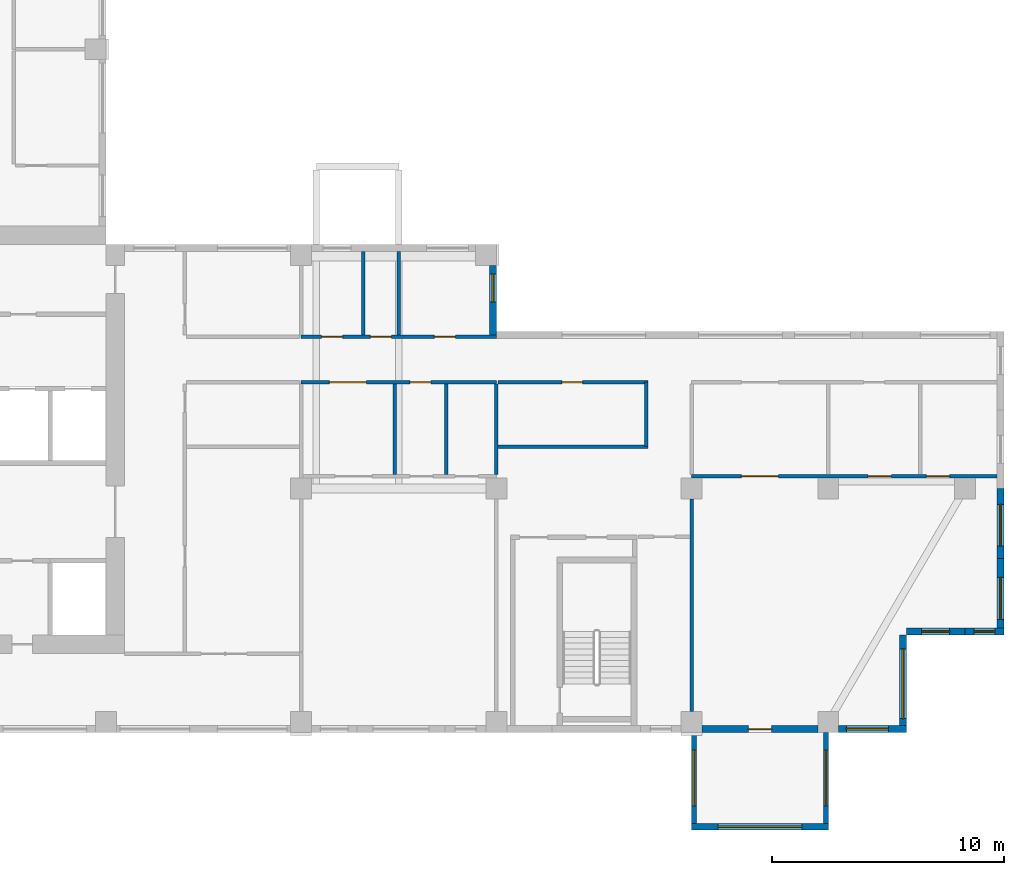
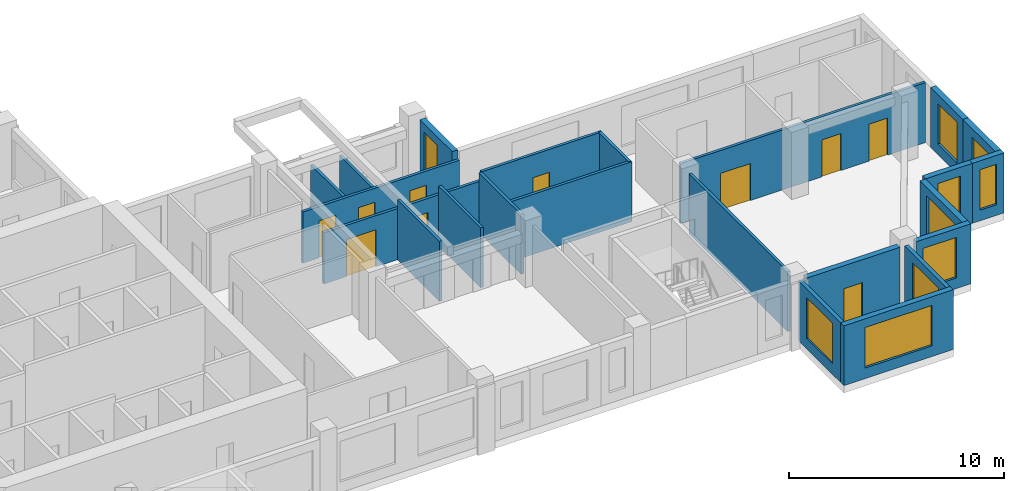
# One storey, part 5 of 12: 23 walls, 10 doors, 10 windows, 20 openings.
"""IFC4 building model written with IfcOpenShell, lengths in metres."""

from ifc_helpers import new_model, si_unit, direction, frame, frame_2d, origin, place, context, subcontext, project, spatial, rectangle, extrude, source, transform, mapped, material, layer, layer_set, type_object, element, fill, save


model = new_model("IFC4")

# Units and contexts
model_context = context("Model", 3, precision=1e-05, world=origin(), true_north=direction((0.0, 1.0)))
body_context = subcontext(model_context, "Body", "Model", "MODEL_VIEW")
ifc_project = project(units=[si_unit("LENGTHUNIT", "METRE"), si_unit("AREAUNIT", "SQUARE_METRE"), si_unit("VOLUMEUNIT", "CUBIC_METRE"), si_unit("PLANEANGLEUNIT", "RADIAN"), si_unit("MASSUNIT", "GRAM", prefix="KILO")], contexts=[model_context])

# Site, building, storey
site_placement = place(None, origin())
site = spatial("IfcSite", under=ifc_project, at=site_placement, CompositionType="ELEMENT")
building_placement = place(site_placement, origin())
building = spatial("IfcBuilding", under=site, at=building_placement, Name="Aurelian Terraces", CompositionType="ELEMENT")
storey_placement = place(building_placement, frame((0.0, 0.0, 200.6)))
storey = spatial("IfcBuildingStorey", under=building, at=storey_placement, Name="L44", CompositionType="ELEMENT", Elevation=200.6)

# Wall
ifc_material_1 = material(Name="Gypsum board on steel studs", Category="steel")
ifc_layer_1 = layer(ifc_material_1, 0.15)
ifc_layer_set_1 = layer_set([ifc_layer_1], Name="Partition 150")
wall_type_1 = type_object("IfcWallType", Name="Partition 150", PredefinedType="PARTITIONING", material=ifc_layer_set_1)
wall_1_placement = place(storey_placement, frame((44.25, 12.3, 0.0), z_axis=(0.0, 0.0, 1.0), x_axis=(0.0, 1.0, 0.0)))
element("IfcWall", 1, at=wall_1_placement, inside=storey, type_object=wall_type_1, Name="Partition", PredefinedType="PARTITIONING", context=body_context, shape_type="SweptSolid", body=[
    extrude(rectangle(XDim=2.775, YDim=0.15, at=frame_2d((1.3875, 0.0))), origin(), (0.0, 0.0, 1.0), 3.4),
])

# Wall, opening, window
ifc_material_2 = material(Name="Concrete fc' 40 MPa", Category="concrete")
ifc_layer_2 = layer(ifc_material_2, 0.3)
ifc_layer_set_2 = layer_set([ifc_layer_2], Name="STAIR BAY WALL 300")
wall_type_2 = type_object("IfcWallType", Name="STAIR BAY WALL 300", PredefinedType="SOLIDWALL", material=ifc_layer_set_2)
wall_2_placement = place(storey_placement, frame((55.44, 4.35, 0.0), z_axis=(0.0, 0.0, 1.0), x_axis=(1.0, 0.0, 0.0)))
wall_2 = element("IfcWall", 2, at=wall_2_placement, inside=storey, type_object=wall_type_2, Name="Bearing wall L44 F03.10", PredefinedType="SOLIDWALL", context=body_context, shape_type="SweptSolid", body=[
    extrude(rectangle(XDim=2.52, YDim=0.3, at=frame_2d((1.26, 0.0))), origin(), (0.0, 0.0, 1.0), 3.4),
])
shared_shape_1 = source(origin(), body_context, "Body", "SweptSolid", [
    extrude(rectangle(XDim=1.2, YDim=2.3, at=frame_2d((0.6, 1.15))), frame((0.0, 0.16, 0.0), z_axis=(0.0, -1.0, 0.0), x_axis=(1.0, 0.0, 0.0)), (0.0, 0.0, 1.0), 0.32),
])
opening_1_placement = place(wall_2_placement, frame((0.66, 0.0, 0.6)))
opening_1 = element("IfcOpeningElement", 3, at=opening_1_placement, cuts=wall_2, Name="Opening W1223", PredefinedType="OPENING", context=body_context, shape_type="MappedRepresentation", body=[
    mapped(shared_shape_1, transform((0.0, 0.0, 0.0), scale=1.0)),
])
ifc_material_3 = material(Name="Clear glazing", Category="glass")
window_type_1 = type_object("IfcWindowType", Name="W-1200x2300", PartitioningType="SINGLE_PANEL", PredefinedType="WINDOW", material=ifc_material_3)
shared_shape_2 = source(origin(), body_context, "Body", "SweptSolid", [
    extrude(rectangle(XDim=1.2, YDim=2.3, at=frame_2d((0.6, 1.15))), frame((0.0, 0.03, 0.0), z_axis=(0.0, -1.0, 0.0), x_axis=(1.0, 0.0, 0.0)), (0.0, 0.0, 1.0), 0.06),
])
window_1_placement = place(opening_1_placement, origin())
window_1 = element("IfcWindow", 4, at=window_1_placement, inside=storey, type_object=window_type_1, Name="Window L44 L44-F03-10-0", OverallHeight=2.3, OverallWidth=1.2, PartitioningType="SINGLE_PANEL", PredefinedType="WINDOW", context=body_context, shape_type="MappedRepresentation", body=[
    mapped(shared_shape_2, transform((0.0, 0.0, 0.0), scale=1.0)),
])
fill(opening_1, window_1)

wall_3_placement = place(storey_placement, frame((57.96, 4.35, 0.0), z_axis=(0.0, 0.0, 1.0), x_axis=(1.0, 0.0, 0.0)))
wall_3 = element("IfcWall", 5, at=wall_3_placement, inside=storey, type_object=wall_type_2, Name="Bearing wall L44 F03.11", PredefinedType="SOLIDWALL", context=body_context, shape_type="SweptSolid", body=[
    extrude(rectangle(XDim=1.68, YDim=0.3, at=frame_2d((0.84, 0.0))), origin(), (0.0, 0.0, 1.0), 3.4),
])
shared_shape_3 = source(origin(), body_context, "Body", "SweptSolid", [
    extrude(rectangle(XDim=0.9, YDim=2.3, at=frame_2d((0.45, 1.15))), frame((0.0, 0.16, 0.0), z_axis=(0.0, -1.0, 0.0), x_axis=(1.0, 0.0, 0.0)), (0.0, 0.0, 1.0), 0.32),
])
opening_2_placement = place(wall_3_placement, frame((0.39, 0.0, 0.6)))
opening_2 = element("IfcOpeningElement", 6, at=opening_2_placement, cuts=wall_3, Name="Opening W0923", PredefinedType="OPENING", context=body_context, shape_type="MappedRepresentation", body=[
    mapped(shared_shape_3, transform((0.0, 0.0, 0.0), scale=1.0)),
])
window_type_2 = type_object("IfcWindowType", Name="W-900x2300", PartitioningType="SINGLE_PANEL", PredefinedType="WINDOW", material=ifc_material_3)
shared_shape_4 = source(origin(), body_context, "Body", "SweptSolid", [
    extrude(rectangle(XDim=0.9, YDim=2.3, at=frame_2d((0.45, 1.15))), frame((0.0, 0.03, 0.0), z_axis=(0.0, -1.0, 0.0), x_axis=(1.0, 0.0, 0.0)), (0.0, 0.0, 1.0), 0.06),
])
window_2_placement = place(opening_2_placement, origin())
window_2 = element("IfcWindow", 7, at=window_2_placement, inside=storey, type_object=window_type_2, Name="Window L44 L44-F03-11-P0", OverallHeight=2.3, OverallWidth=0.9, PartitioningType="SINGLE_PANEL", PredefinedType="WINDOW", context=body_context, shape_type="MappedRepresentation", body=[
    mapped(shared_shape_4, transform((0.0, 0.0, 0.0), scale=1.0)),
])
fill(opening_2, window_2)

wall_4_placement = place(storey_placement, frame((59.49, 4.2, 0.0), z_axis=(0.0, 0.0, 1.0), x_axis=(0.0, 1.0, 0.0)))
wall_4 = element("IfcWall", 8, at=wall_4_placement, inside=storey, type_object=wall_type_2, Name="Bearing wall L44 F04.12", PredefinedType="SOLIDWALL", context=body_context, shape_type="SweptSolid", body=[
    extrude(rectangle(XDim=3.3, YDim=0.3, at=frame_2d((1.65, 0.0))), origin(), (0.0, 0.0, 1.0), 3.4),
])
shared_shape_5 = source(origin(), body_context, "Body", "SweptSolid", [
    extrude(rectangle(XDim=1.8, YDim=2.3, at=frame_2d((0.9, 1.15))), frame((0.0, 0.16, 0.0), z_axis=(0.0, -1.0, 0.0), x_axis=(1.0, 0.0, 0.0)), (0.0, 0.0, 1.0), 0.32),
])
opening_3_placement = place(wall_4_placement, frame((0.675, 0.0, 0.6)))
opening_3 = element("IfcOpeningElement", 9, at=opening_3_placement, cuts=wall_4, Name="Opening W1823", PredefinedType="OPENING", context=body_context, shape_type="MappedRepresentation", body=[
    mapped(shared_shape_5, transform((0.0, 0.0, 0.0), scale=1.0)),
])
window_type_3 = type_object("IfcWindowType", Name="W-1800x2300", PartitioningType="SINGLE_PANEL", PredefinedType="WINDOW", material=ifc_material_3)
shared_shape_6 = source(origin(), body_context, "Body", "SweptSolid", [
    extrude(rectangle(XDim=1.8, YDim=2.3, at=frame_2d((0.9, 1.15))), frame((0.0, 0.03, 0.0), z_axis=(0.0, -1.0, 0.0), x_axis=(1.0, 0.0, 0.0)), (0.0, 0.0, 1.0), 0.06),
])
window_3_placement = place(opening_3_placement, origin())
window_3 = element("IfcWindow", 10, at=window_3_placement, inside=storey, type_object=window_type_3, Name="Window L44 L44-F04-12-0", OverallHeight=2.3, OverallWidth=1.8, PartitioningType="SINGLE_PANEL", PredefinedType="WINDOW", context=body_context, shape_type="MappedRepresentation", body=[
    mapped(shared_shape_6, transform((0.0, 0.0, 0.0), scale=1.0)),
])
fill(opening_3, window_3)

wall_5_placement = place(storey_placement, frame((59.49, 7.5, 0.0), z_axis=(0.0, 0.0, 1.0), x_axis=(0.0, 1.0, 0.0)))
wall_5 = element("IfcWall", 11, at=wall_5_placement, inside=storey, type_object=wall_type_2, Name="Bearing wall L44 F04.12", PredefinedType="SOLIDWALL", context=body_context, shape_type="SweptSolid", body=[
    extrude(rectangle(XDim=3.0, YDim=0.3, at=frame_2d((1.5, 0.0))), origin(), (0.0, 0.0, 1.0), 3.4),
])
opening_4_placement = place(wall_5_placement, frame((0.525, 0.0, 0.6)))
opening_4 = element("IfcOpeningElement", 12, at=opening_4_placement, cuts=wall_5, Name="Opening W1823", PredefinedType="OPENING", context=body_context, shape_type="MappedRepresentation", body=[
    mapped(shared_shape_5, transform((0.0, 0.0, 0.0), scale=1.0)),
])
window_4_placement = place(opening_4_placement, origin())
window_4 = element("IfcWindow", 13, at=window_4_placement, inside=storey, type_object=window_type_3, Name="Window L44 L44-F04-12-1", OverallHeight=2.3, OverallWidth=1.8, PartitioningType="SINGLE_PANEL", PredefinedType="WINDOW", context=body_context, shape_type="MappedRepresentation", body=[
    mapped(shared_shape_6, transform((0.0, 0.0, 0.0), scale=1.0)),
])
fill(opening_4, window_4)

ifc_material_4 = material(Name="Terracotta rainscreen cladding", Category="masonry")
ifc_layer_3 = layer(ifc_material_4, 0.3)
ifc_layer_set_3 = layer_set([ifc_layer_3], Name="EW-300")
wall_type_3 = type_object("IfcWallType", Name="EW-300", PredefinedType="STANDARD", material=ifc_layer_set_3)
shared_shape_7 = source(origin(), body_context, "Body", "SweptSolid", [
    extrude(rectangle(XDim=2.91, YDim=0.3, at=frame_2d((1.455, 0.0))), origin(), (0.0, 0.0, 1.0), 3.4),
])
wall_6_placement = place(storey_placement, frame((52.53, 0.15, 0.0), z_axis=(0.0, 0.0, 1.0), x_axis=(1.0, 0.0, 0.0)))
wall_6 = element("IfcWall", 14, at=wall_6_placement, inside=storey, type_object=wall_type_3, Name="External wall L44 F01.8", PredefinedType="STANDARD", context=body_context, shape_type="MappedRepresentation", body=[
    mapped(shared_shape_7, transform((0.0, 0.0, 0.0), scale=1.0)),
])
opening_5_placement = place(wall_6_placement, frame((0.33, 0.0, 0.6)))
opening_5 = element("IfcOpeningElement", 15, at=opening_5_placement, cuts=wall_6, Name="Opening W1823", PredefinedType="OPENING", context=body_context, shape_type="MappedRepresentation", body=[
    mapped(shared_shape_5, transform((0.0, 0.0, 0.0), scale=1.0)),
])
window_5_placement = place(opening_5_placement, origin())
window_5 = element("IfcWindow", 16, at=window_5_placement, inside=storey, type_object=window_type_3, Name="Window L44 L44-F01-08-0", OverallHeight=2.3, OverallWidth=1.8, PartitioningType="SINGLE_PANEL", PredefinedType="WINDOW", context=body_context, shape_type="MappedRepresentation", body=[
    mapped(shared_shape_6, transform((0.0, 0.0, 0.0), scale=1.0)),
])
fill(opening_5, window_5)

shared_shape_8 = source(origin(), body_context, "Body", "SweptSolid", [
    extrude(rectangle(XDim=4.2, YDim=0.3, at=frame_2d((2.1, 0.0))), origin(), (0.0, 0.0, 1.0), 3.4),
])
wall_7_placement = place(storey_placement, frame((55.29, 0.0, 0.0), z_axis=(0.0, 0.0, 1.0), x_axis=(0.0, 1.0, 0.0)))
wall_7 = element("IfcWall", 17, at=wall_7_placement, inside=storey, type_object=wall_type_3, Name="External wall L44 F02.9", PredefinedType="STANDARD", context=body_context, shape_type="MappedRepresentation", body=[
    mapped(shared_shape_8, transform((0.0, 0.0, 0.0), scale=1.0)),
])
shared_shape_9 = source(origin(), body_context, "Body", "SweptSolid", [
    extrude(rectangle(XDim=3.0, YDim=2.3, at=frame_2d((1.5, 1.15))), frame((0.0, 0.16, 0.0), z_axis=(0.0, -1.0, 0.0), x_axis=(1.0, 0.0, 0.0)), (0.0, 0.0, 1.0), 0.32),
])
opening_6_placement = place(wall_7_placement, frame((0.6, 0.0, 0.6)))
opening_6 = element("IfcOpeningElement", 18, at=opening_6_placement, cuts=wall_7, Name="Opening W3023", PredefinedType="OPENING", context=body_context, shape_type="MappedRepresentation", body=[
    mapped(shared_shape_9, transform((0.0, 0.0, 0.0), scale=1.0)),
])
window_type_4 = type_object("IfcWindowType", Name="W-3000x2300", PartitioningType="SINGLE_PANEL", PredefinedType="WINDOW", material=ifc_material_3)
shared_shape_10 = source(origin(), body_context, "Body", "SweptSolid", [
    extrude(rectangle(XDim=3.0, YDim=2.3, at=frame_2d((1.5, 1.15))), frame((0.0, 0.03, 0.0), z_axis=(0.0, -1.0, 0.0), x_axis=(1.0, 0.0, 0.0)), (0.0, 0.0, 1.0), 0.06),
])
window_6_placement = place(opening_6_placement, origin())
window_6 = element("IfcWindow", 19, at=window_6_placement, inside=storey, type_object=window_type_4, Name="Window L44 L44-F02-09-0", OverallHeight=2.3, OverallWidth=3.0, PartitioningType="SINGLE_PANEL", PredefinedType="WINDOW", context=body_context, shape_type="MappedRepresentation", body=[
    mapped(shared_shape_10, transform((0.0, 0.0, 0.0), scale=1.0)),
])
fill(opening_6, window_6)

ifc_layer_4 = layer(ifc_material_2, 0.2)
ifc_layer_set_4 = layer_set([ifc_layer_4], Name="BOX BEARING WALL 200")
wall_type_4 = type_object("IfcWallType", Name="BOX BEARING WALL 200", PredefinedType="SOLIDWALL", material=ifc_layer_set_4)
shared_shape_11 = source(origin(), body_context, "Body", "SweptSolid", [
    extrude(rectangle(XDim=3.9, YDim=0.2, at=frame_2d((1.95, 0.0))), origin(), (0.0, 0.0, 1.0), 3.39),
])
wall_8_placement = place(storey_placement, frame((46.3, 0.0, 0.0), z_axis=(0.0, 0.0, 1.0), x_axis=(0.0, -1.0, 0.0)))
wall_8 = element("IfcWall", 20, at=wall_8_placement, inside=storey, type_object=wall_type_4, Name="Box return L44 J62.1", PredefinedType="SOLIDWALL", context=body_context, shape_type="MappedRepresentation", body=[
    mapped(shared_shape_11, transform((0.0, 0.0, 0.0), scale=1.0)),
])
shared_shape_12 = source(origin(), body_context, "Body", "SweptSolid", [
    extrude(rectangle(XDim=2.4, YDim=2.3, at=frame_2d((1.2, 1.15))), frame((0.0, 0.11, 0.0), z_axis=(0.0, -1.0, 0.0), x_axis=(1.0, 0.0, 0.0)), (0.0, 0.0, 1.0), 0.22),
])
opening_7_placement = place(wall_8_placement, frame((0.75, 0.0, 0.6)))
opening_7 = element("IfcOpeningElement", 21, at=opening_7_placement, cuts=wall_8, Name="Opening W2423", PredefinedType="OPENING", context=body_context, shape_type="MappedRepresentation", body=[
    mapped(shared_shape_12, transform((0.0, 0.0, 0.0), scale=1.0)),
])
window_type_5 = type_object("IfcWindowType", Name="W-2400x2300", PartitioningType="SINGLE_PANEL", PredefinedType="WINDOW", material=ifc_material_3)
shared_shape_13 = source(origin(), body_context, "Body", "SweptSolid", [
    extrude(rectangle(XDim=2.4, YDim=2.3, at=frame_2d((1.2, 1.15))), frame((0.0, 0.03, 0.0), z_axis=(0.0, -1.0, 0.0), x_axis=(1.0, 0.0, 0.0)), (0.0, 0.0, 1.0), 0.06),
])
window_7_placement = place(opening_7_placement, origin())
window_7 = element("IfcWindow", 22, at=window_7_placement, inside=storey, type_object=window_type_5, Name="Window L44 J62-S1", OverallHeight=2.3, OverallWidth=2.4, PartitioningType="SINGLE_PANEL", PredefinedType="WINDOW", context=body_context, shape_type="MappedRepresentation", body=[
    mapped(shared_shape_13, transform((0.0, 0.0, 0.0), scale=1.0)),
])
fill(opening_7, window_7)

wall_9_placement = place(storey_placement, frame((51.98, 0.0, 0.0), z_axis=(0.0, 0.0, 1.0), x_axis=(0.0, -1.0, 0.0)))
wall_9 = element("IfcWall", 23, at=wall_9_placement, inside=storey, type_object=wall_type_4, Name="Box return L44 J62.2", PredefinedType="SOLIDWALL", context=body_context, shape_type="MappedRepresentation", body=[
    mapped(shared_shape_11, transform((0.0, 0.0, 0.0), scale=1.0)),
])
opening_8_placement = place(wall_9_placement, frame((0.75, 0.0, 0.6)))
opening_8 = element("IfcOpeningElement", 24, at=opening_8_placement, cuts=wall_9, Name="Opening W2423", PredefinedType="OPENING", context=body_context, shape_type="MappedRepresentation", body=[
    mapped(shared_shape_12, transform((0.0, 0.0, 0.0), scale=1.0)),
])
window_8_placement = place(opening_8_placement, origin())
window_8 = element("IfcWindow", 25, at=window_8_placement, inside=storey, type_object=window_type_5, Name="Window L44 J62-S2", OverallHeight=2.3, OverallWidth=2.4, PartitioningType="SINGLE_PANEL", PredefinedType="WINDOW", context=body_context, shape_type="MappedRepresentation", body=[
    mapped(shared_shape_13, transform((0.0, 0.0, 0.0), scale=1.0)),
])
fill(opening_8, window_8)

# Wall, opening, door
shared_shape_14 = source(origin(), body_context, "Body", "SweptSolid", [
    extrude(rectangle(XDim=4.98, YDim=0.3, at=frame_2d((2.49, 0.0))), origin(), (0.0, 0.0, 1.0), 3.4),
])
wall_10_placement = place(storey_placement, frame((46.65, 0.15, 0.0), z_axis=(0.0, 0.0, 1.0), x_axis=(1.0, 0.0, 0.0)))
wall_10 = element("IfcWall", 26, at=wall_10_placement, inside=storey, type_object=wall_type_3, Name="External wall L44 F01.7", PredefinedType="STANDARD", context=body_context, shape_type="MappedRepresentation", body=[
    mapped(shared_shape_14, transform((0.0, 0.0, 0.0), scale=1.0)),
])
shared_shape_15 = source(origin(), body_context, "Body", "SweptSolid", [
    extrude(rectangle(XDim=1.0, YDim=2.1, at=frame_2d((0.5, 1.05))), frame((0.0, 0.16, 0.0), z_axis=(0.0, -1.0, 0.0), x_axis=(1.0, 0.0, 0.0)), (0.0, 0.0, 1.0), 0.32),
])
opening_9_placement = place(wall_10_placement, frame((1.99, 0.0, 0.0)))
opening_9 = element("IfcOpeningElement", 27, at=opening_9_placement, cuts=wall_10, Name="Opening 844003", PredefinedType="OPENING", context=body_context, shape_type="MappedRepresentation", body=[
    mapped(shared_shape_15, transform((0.0, 0.0, 0.0), scale=1.0)),
])
ifc_material_5 = material(Name="Timber door leaf", Category="wood")
door_type_1 = type_object("IfcDoorType", Name="Room door 1000x2100 left", OperationType="SINGLE_SWING_LEFT", PredefinedType="DOOR", material=ifc_material_5)
shared_shape_16 = source(origin(), body_context, "Body", "SweptSolid", [
    extrude(rectangle(XDim=1.0, YDim=2.1, at=frame_2d((0.5, 1.05))), frame((0.0, 0.025, 0.0), z_axis=(0.0, -1.0, 0.0), x_axis=(1.0, 0.0, 0.0)), (0.0, 0.0, 1.0), 0.05),
])
door_1_placement = place(opening_9_placement, origin())
door_1 = element("IfcDoor", 28, at=door_1_placement, inside=storey, type_object=door_type_1, Name="Door 844003", OperationType="SINGLE_SWING_LEFT", OverallHeight=2.1, OverallWidth=1.0, PredefinedType="DOOR", context=body_context, shape_type="MappedRepresentation", body=[
    mapped(shared_shape_16, transform((0.0, 0.0, 0.0), scale=1.0)),
])
fill(opening_9, door_1)

# Wall, opening, window
shared_shape_17 = source(origin(), body_context, "Body", "SweptSolid", [
    extrude(rectangle(XDim=3.0, YDim=0.3, at=frame_2d((1.5, 0.0))), origin(), (0.0, 0.0, 1.0), 3.4),
])
wall_11_placement = place(storey_placement, frame((37.65, 17.1, 0.0), z_axis=(0.0, 0.0, 1.0), x_axis=(0.0, 1.0, 0.0)))
wall_11 = element("IfcWall", 29, at=wall_11_placement, inside=storey, type_object=wall_type_3, Name="External wall L44 F06.16", PredefinedType="STANDARD", context=body_context, shape_type="MappedRepresentation", body=[
    mapped(shared_shape_17, transform((0.0, 0.0, 0.0), scale=1.0)),
])
opening_10_placement = place(wall_11_placement, frame((1.425, 0.0, 0.6)))
opening_10 = element("IfcOpeningElement", 30, at=opening_10_placement, cuts=wall_11, Name="Opening W1223", PredefinedType="OPENING", context=body_context, shape_type="MappedRepresentation", body=[
    mapped(shared_shape_1, transform((0.0, 0.0, 0.0), scale=1.0)),
])
window_9_placement = place(opening_10_placement, origin())
window_9 = element("IfcWindow", 31, at=window_9_placement, inside=storey, type_object=window_type_1, Name="Window L44 L44-F06-16-0", OverallHeight=2.3, OverallWidth=1.2, PartitioningType="SINGLE_PANEL", PredefinedType="WINDOW", context=body_context, shape_type="MappedRepresentation", body=[
    mapped(shared_shape_2, transform((0.0, 0.0, 0.0), scale=1.0)),
])
fill(opening_10, window_9)

ifc_layer_5 = layer(ifc_material_2, 0.3)
ifc_layer_set_5 = layer_set([ifc_layer_5], Name="BOX BEARING WALL 300")
wall_type_5 = type_object("IfcWallType", Name="BOX BEARING WALL 300", PredefinedType="SOLIDWALL", material=ifc_layer_set_5)
shared_shape_18 = source(origin(), body_context, "Body", "SweptSolid", [
    extrude(rectangle(XDim=5.88, YDim=0.3, at=frame_2d((2.94, 0.0))), origin(), (0.0, 0.0, 1.0), 3.39),
])
wall_12_placement = place(storey_placement, frame((46.2, -4.05, 0.0), z_axis=(0.0, 0.0, 1.0), x_axis=(1.0, 0.0, 0.0)))
wall_12 = element("IfcWall", 32, at=wall_12_placement, inside=storey, type_object=wall_type_5, Name="Box wall L44 J62", PredefinedType="SOLIDWALL", context=body_context, shape_type="MappedRepresentation", body=[
    mapped(shared_shape_18, transform((0.0, 0.0, 0.0), scale=1.0)),
])
shared_shape_19 = source(origin(), body_context, "Body", "SweptSolid", [
    extrude(rectangle(XDim=3.6, YDim=2.3, at=frame_2d((1.8, 1.15))), frame((0.0, 0.16, 0.0), z_axis=(0.0, -1.0, 0.0), x_axis=(1.0, 0.0, 0.0)), (0.0, 0.0, 1.0), 0.32),
])
opening_11_placement = place(wall_12_placement, frame((1.14, 0.0, 0.6)))
opening_11 = element("IfcOpeningElement", 33, at=opening_11_placement, cuts=wall_12, Name="Opening W3623", PredefinedType="OPENING", context=body_context, shape_type="MappedRepresentation", body=[
    mapped(shared_shape_19, transform((0.0, 0.0, 0.0), scale=1.0)),
])
window_type_6 = type_object("IfcWindowType", Name="W-3600x2300", PartitioningType="SINGLE_PANEL", PredefinedType="WINDOW", material=ifc_material_3)
shared_shape_20 = source(origin(), body_context, "Body", "SweptSolid", [
    extrude(rectangle(XDim=3.6, YDim=2.3, at=frame_2d((1.8, 1.15))), frame((0.0, 0.03, 0.0), z_axis=(0.0, -1.0, 0.0), x_axis=(1.0, 0.0, 0.0)), (0.0, 0.0, 1.0), 0.06),
])
window_10_placement = place(opening_11_placement, origin())
window_10 = element("IfcWindow", 34, at=window_10_placement, inside=storey, type_object=window_type_6, Name="Window L44 J62-F1", OverallHeight=2.3, OverallWidth=3.6, PartitioningType="SINGLE_PANEL", PredefinedType="WINDOW", context=body_context, shape_type="MappedRepresentation", body=[
    mapped(shared_shape_20, transform((0.0, 0.0, 0.0), scale=1.0)),
])
fill(opening_11, window_10)

# Wall
shared_shape_21 = source(origin(), body_context, "Body", "SweptSolid", [
    extrude(rectangle(XDim=6.45, YDim=0.15, at=frame_2d((3.225, 0.0))), origin(), (0.0, 0.0, 1.0), 3.4),
])
wall_13_placement = place(storey_placement, frame((37.875, 12.3, 0.0), z_axis=(0.0, 0.0, 1.0), x_axis=(1.0, 0.0, 0.0)))
element("IfcWall", 35, at=wall_13_placement, inside=storey, type_object=wall_type_1, Name="Partition", PredefinedType="PARTITIONING", context=body_context, shape_type="MappedRepresentation", body=[
    mapped(shared_shape_21, transform((0.0, 0.0, 0.0), scale=1.0)),
])

# Wall, opening, door
ifc_layer_6 = layer(ifc_material_1, 0.15)
ifc_layer_set_6 = layer_set([ifc_layer_6], Name="Fire partition 150")
wall_type_6 = type_object("IfcWallType", Name="Fire partition 150", PredefinedType="PARTITIONING", material=ifc_layer_set_6)
wall_14_placement = place(storey_placement, frame((44.325, 15.075, 0.0), z_axis=(0.0, 0.0, 1.0), x_axis=(-1.0, 0.0, 0.0)))
wall_14 = element("IfcWall", 36, at=wall_14_placement, inside=storey, type_object=wall_type_6, Name="Corridor wall", PredefinedType="PARTITIONING", context=body_context, shape_type="MappedRepresentation", body=[
    mapped(shared_shape_21, transform((0.0, 0.0, 0.0), scale=1.0)),
])
shared_shape_22 = source(origin(), body_context, "Body", "SweptSolid", [
    extrude(rectangle(XDim=0.9, YDim=2.1, at=frame_2d((0.45, 1.05))), frame((0.0, 0.085, 0.0), z_axis=(0.0, -1.0, 0.0), x_axis=(1.0, 0.0, 0.0)), (0.0, 0.0, 1.0), 0.17),
])
opening_12_placement = place(wall_14_placement, frame((2.8125, 0.0, 0.0)))
opening_12 = element("IfcOpeningElement", 37, at=opening_12_placement, cuts=wall_14, Name="Opening 744005", PredefinedType="OPENING", context=body_context, shape_type="MappedRepresentation", body=[
    mapped(shared_shape_22, transform((0.0, 0.0, 0.0), scale=1.0)),
])
door_type_2 = type_object("IfcDoorType", Name="Room door 900x2100 left", OperationType="SINGLE_SWING_LEFT", PredefinedType="DOOR", material=ifc_material_5)
shared_shape_23 = source(origin(), body_context, "Body", "SweptSolid", [
    extrude(rectangle(XDim=0.9, YDim=2.1, at=frame_2d((0.45, 1.05))), frame((0.0, 0.025, 0.0), z_axis=(0.0, -1.0, 0.0), x_axis=(1.0, 0.0, 0.0)), (0.0, 0.0, 1.0), 0.05),
])
door_2_placement = place(opening_12_placement, origin())
door_2 = element("IfcDoor", 38, at=door_2_placement, inside=storey, type_object=door_type_2, Name="Door 744005", OperationType="SINGLE_SWING_LEFT", OverallHeight=2.1, OverallWidth=0.9, PredefinedType="DOOR", context=body_context, shape_type="MappedRepresentation", body=[
    mapped(shared_shape_23, transform((0.0, 0.0, 0.0), scale=1.0)),
])
fill(opening_12, door_2)

# Walls
shared_shape_24 = source(origin(), body_context, "Body", "SweptSolid", [
    extrude(rectangle(XDim=3.9, YDim=0.15, at=frame_2d((1.95, 0.0))), origin(), (0.0, 0.0, 1.0), 3.4),
])
for number, where, z_axis, x_axis, name in (
    (39, (33.4224, 11.1, 0.0), (0.0, 0.0, 1.0), (0.0, 1.0, 0.0), "Partition"),
    (40, (35.6329, 11.1, 0.0), (0.0, 0.0, 1.0), (0.0, 1.0, 0.0), "Partition"),
):
    element("IfcWall", number, at=place(storey_placement, frame(where, z_axis=z_axis, x_axis=x_axis)), inside=storey, type_object=wall_type_1, Name=name, PredefinedType="PARTITIONING", context=body_context, shape_type="MappedRepresentation", body=[
        mapped(shared_shape_24, transform((0.0, 0.0, 0.0), scale=1.0)),
    ])
wall_15_placement = place(storey_placement, frame((37.8, 11.1, 0.0), z_axis=(0.0, 0.0, 1.0), x_axis=(0.0, 1.0, 0.0)))
element("IfcWall", 41, at=wall_15_placement, inside=storey, type_object=wall_type_6, Name="Party wall", PredefinedType="PARTITIONING", context=body_context, shape_type="MappedRepresentation", body=[
    mapped(shared_shape_24, transform((0.0, 0.0, 0.0), scale=1.0)),
])
shared_shape_25 = source(origin(), body_context, "Body", "SweptSolid", [
    extrude(rectangle(XDim=9.152, YDim=0.15, at=frame_2d((4.576, 0.0))), origin(), (0.0, 0.0, 1.0), 3.4),
])
wall_16_placement = place(storey_placement, frame((46.2, 0.899, 0.0), z_axis=(0.0, 0.0, 1.0), x_axis=(0.0, 1.0, 0.0)))
element("IfcWall", 42, at=wall_16_placement, inside=storey, type_object=wall_type_6, Name="Party wall", PredefinedType="PARTITIONING", context=body_context, shape_type="MappedRepresentation", body=[
    mapped(shared_shape_25, transform((0.0, 0.0, 0.0), scale=1.0)),
])

# Wall, openings, doors
shared_shape_26 = source(origin(), body_context, "Body", "SweptSolid", [
    extrude(rectangle(XDim=13.14, YDim=0.15, at=frame_2d((6.57, 0.0))), origin(), (0.0, 0.0, 1.0), 3.4),
])
wall_17_placement = place(storey_placement, frame((59.34, 11.025, 0.0), z_axis=(0.0, 0.0, 1.0), x_axis=(-1.0, 0.0, 0.0)))
wall_17 = element("IfcWall", 43, at=wall_17_placement, inside=storey, type_object=wall_type_1, Name="Partition", PredefinedType="PARTITIONING", context=body_context, shape_type="MappedRepresentation", body=[
    mapped(shared_shape_26, transform((0.0, 0.0, 0.0), scale=1.0)),
])
shared_shape_27 = source(origin(), body_context, "Body", "SweptSolid", [
    extrude(rectangle(XDim=1.6, YDim=2.1, at=frame_2d((0.8, 1.05))), frame((0.0, 0.085, 0.0), z_axis=(0.0, -1.0, 0.0), x_axis=(1.0, 0.0, 0.0)), (0.0, 0.0, 1.0), 0.17),
])
opening_13_placement = place(wall_17_placement, frame((9.4025, 0.0, 0.0)))
opening_13 = element("IfcOpeningElement", 44, at=opening_13_placement, cuts=wall_17, Name="Opening 744013", PredefinedType="OPENING", context=body_context, shape_type="MappedRepresentation", body=[
    mapped(shared_shape_27, transform((0.0, 0.0, 0.0), scale=1.0)),
])
shared_shape_28 = source(origin(), body_context, "Body", "SweptSolid", [
    extrude(rectangle(XDim=1.0, YDim=2.1, at=frame_2d((0.5, 1.05))), frame((0.0, 0.085, 0.0), z_axis=(0.0, -1.0, 0.0), x_axis=(1.0, 0.0, 0.0)), (0.0, 0.0, 1.0), 0.17),
])
opening_14_placement = place(wall_17_placement, frame((4.5491, 0.0, 0.0)))
opening_14 = element("IfcOpeningElement", 45, at=opening_14_placement, cuts=wall_17, Name="Opening 744014", PredefinedType="OPENING", context=body_context, shape_type="MappedRepresentation", body=[
    mapped(shared_shape_28, transform((0.0, 0.0, 0.0), scale=1.0)),
])
opening_15_placement = place(wall_17_placement, frame((2.0381, 0.0, 0.0)))
opening_15 = element("IfcOpeningElement", 46, at=opening_15_placement, cuts=wall_17, Name="Opening 744015", PredefinedType="OPENING", context=body_context, shape_type="MappedRepresentation", body=[
    mapped(shared_shape_28, transform((0.0, 0.0, 0.0), scale=1.0)),
])
door_type_3 = type_object("IfcDoorType", Name="Room door 1000x2100 right", OperationType="SINGLE_SWING_RIGHT", PredefinedType="DOOR", material=ifc_material_5)
door_3_placement = place(opening_14_placement, origin())
door_3 = element("IfcDoor", 47, at=door_3_placement, inside=storey, type_object=door_type_3, Name="Door 744014", OperationType="SINGLE_SWING_RIGHT", OverallHeight=2.1, OverallWidth=1.0, PredefinedType="DOOR", context=body_context, shape_type="MappedRepresentation", body=[
    mapped(shared_shape_16, transform((0.0, 0.0, 0.0), scale=1.0)),
])
fill(opening_14, door_3)
door_4_placement = place(opening_15_placement, origin())
door_4 = element("IfcDoor", 48, at=door_4_placement, inside=storey, type_object=door_type_1, Name="Door 744015", OperationType="SINGLE_SWING_LEFT", OverallHeight=2.1, OverallWidth=1.0, PredefinedType="DOOR", context=body_context, shape_type="MappedRepresentation", body=[
    mapped(shared_shape_16, transform((0.0, 0.0, 0.0), scale=1.0)),
])
fill(opening_15, door_4)
door_type_4 = type_object("IfcDoorType", Name="Room door 1600x2100 left", OperationType="SINGLE_SWING_LEFT", PredefinedType="DOOR", material=ifc_material_5)
shared_shape_29 = source(origin(), body_context, "Body", "SweptSolid", [
    extrude(rectangle(XDim=1.6, YDim=2.1, at=frame_2d((0.8, 1.05))), frame((0.0, 0.025, 0.0), z_axis=(0.0, -1.0, 0.0), x_axis=(1.0, 0.0, 0.0)), (0.0, 0.0, 1.0), 0.05),
])
door_5_placement = place(opening_13_placement, origin())
door_5 = element("IfcDoor", 49, at=door_5_placement, inside=storey, type_object=door_type_4, Name="Door 744013", OperationType="SINGLE_SWING_LEFT", OverallHeight=2.1, OverallWidth=1.6, PredefinedType="DOOR", context=body_context, shape_type="MappedRepresentation", body=[
    mapped(shared_shape_29, transform((0.0, 0.0, 0.0), scale=1.0)),
])
fill(opening_13, door_5)

# Walls
shared_shape_30 = source(origin(), body_context, "Body", "SweptSolid", [
    extrude(rectangle(XDim=3.6, YDim=0.15, at=frame_2d((1.8, 0.0))), origin(), (0.0, 0.0, 1.0), 2.4),
])
wall_18_placement = place(storey_placement, frame((32.067, 20.7, 0.0), z_axis=(0.0, 0.0, 1.0), x_axis=(0.0, -1.0, 0.0)))
element("IfcWall", 50, at=wall_18_placement, inside=storey, type_object=wall_type_1, Name="Partition", PredefinedType="PARTITIONING", context=body_context, shape_type="MappedRepresentation", body=[
    mapped(shared_shape_30, transform((0.0, 0.0, 0.0), scale=1.0)),
])
wall_19_placement = place(storey_placement, frame((33.6, 17.1, 0.0), z_axis=(0.0, 0.0, 1.0), x_axis=(0.0, 1.0, 0.0)))
element("IfcWall", 51, at=wall_19_placement, inside=storey, type_object=wall_type_6, Name="Party wall", PredefinedType="PARTITIONING", context=body_context, shape_type="MappedRepresentation", body=[
    mapped(shared_shape_30, transform((0.0, 0.0, 0.0), scale=1.0)),
])

# Wall, openings, doors
shared_shape_31 = source(origin(), body_context, "Body", "SweptSolid", [
    extrude(rectangle(XDim=8.4, YDim=0.15, at=frame_2d((4.2, 0.0))), origin(), (0.0, 0.0, 1.0), 2.9),
])
wall_20_placement = place(storey_placement, frame((37.8, 15.075, 0.0), z_axis=(0.0, 0.0, 1.0), x_axis=(-1.0, 0.0, 0.0)))
wall_20 = element("IfcWall", 52, at=wall_20_placement, inside=storey, type_object=wall_type_6, Name="Corridor wall", PredefinedType="PARTITIONING", context=body_context, shape_type="MappedRepresentation", body=[
    mapped(shared_shape_31, transform((0.0, 0.0, 0.0), scale=1.0)),
])
opening_16_placement = place(wall_20_placement, frame((5.5888, 0.0, 0.0)))
opening_16 = element("IfcOpeningElement", 53, at=opening_16_placement, cuts=wall_20, Name="Opening 744007", PredefinedType="OPENING", context=body_context, shape_type="MappedRepresentation", body=[
    mapped(shared_shape_27, transform((0.0, 0.0, 0.0), scale=1.0)),
])
opening_17_placement = place(wall_20_placement, frame((2.8224, 0.0, 0.0)))
opening_17 = element("IfcOpeningElement", 54, at=opening_17_placement, cuts=wall_20, Name="Opening 744011", PredefinedType="OPENING", context=body_context, shape_type="MappedRepresentation", body=[
    mapped(shared_shape_22, transform((0.0, 0.0, 0.0), scale=1.0)),
])
ifc_material_6 = material(Name="Steel door leaf", Category="steel")
door_type_5 = type_object("IfcDoorType", Name="Entrance fire door 900x2100 right", OperationType="SINGLE_SWING_RIGHT", PredefinedType="DOOR", material=ifc_material_6)
door_6_placement = place(opening_17_placement, origin())
door_6 = element("IfcDoor", 55, at=door_6_placement, inside=storey, type_object=door_type_5, Name="Door 744011", OperationType="SINGLE_SWING_RIGHT", OverallHeight=2.1, OverallWidth=0.9, PredefinedType="DOOR", context=body_context, shape_type="MappedRepresentation", body=[
    mapped(shared_shape_23, transform((0.0, 0.0, 0.0), scale=1.0)),
])
fill(opening_17, door_6)
door_type_6 = type_object("IfcDoorType", Name="Entrance fire door 1600x2100 right", OperationType="SINGLE_SWING_RIGHT", PredefinedType="DOOR", material=ifc_material_6)
door_7_placement = place(opening_16_placement, origin())
door_7 = element("IfcDoor", 56, at=door_7_placement, inside=storey, type_object=door_type_6, Name="Door 744007", OperationType="SINGLE_SWING_RIGHT", OverallHeight=2.1, OverallWidth=1.6, PredefinedType="DOOR", context=body_context, shape_type="MappedRepresentation", body=[
    mapped(shared_shape_29, transform((0.0, 0.0, 0.0), scale=1.0)),
])
fill(opening_16, door_7)

wall_21_placement = place(storey_placement, frame((29.4, 17.025, 0.0), z_axis=(0.0, 0.0, 1.0), x_axis=(1.0, 0.0, 0.0)))
wall_21 = element("IfcWall", 57, at=wall_21_placement, inside=storey, type_object=wall_type_6, Name="Corridor wall", PredefinedType="PARTITIONING", context=body_context, shape_type="MappedRepresentation", body=[
    mapped(shared_shape_31, transform((0.0, 0.0, 0.0), scale=1.0)),
])
opening_18_placement = place(wall_21_placement, frame((0.8835, 0.0, 0.0)))
opening_18 = element("IfcOpeningElement", 58, at=opening_18_placement, cuts=wall_21, Name="Opening 744017", PredefinedType="OPENING", context=body_context, shape_type="MappedRepresentation", body=[
    mapped(shared_shape_22, transform((0.0, 0.0, 0.0), scale=1.0)),
])
opening_19_placement = place(wall_21_placement, frame((2.9835, 0.0, 0.0)))
opening_19 = element("IfcOpeningElement", 59, at=opening_19_placement, cuts=wall_21, Name="Opening 744018", PredefinedType="OPENING", context=body_context, shape_type="MappedRepresentation", body=[
    mapped(shared_shape_22, transform((0.0, 0.0, 0.0), scale=1.0)),
])
opening_20_placement = place(wall_21_placement, frame((5.7375, 0.0, 0.0)))
opening_20 = element("IfcOpeningElement", 60, at=opening_20_placement, cuts=wall_21, Name="Opening 744039", PredefinedType="OPENING", context=body_context, shape_type="MappedRepresentation", body=[
    mapped(shared_shape_22, transform((0.0, 0.0, 0.0), scale=1.0)),
])
door_8_placement = place(opening_18_placement, origin())
door_8 = element("IfcDoor", 61, at=door_8_placement, inside=storey, type_object=door_type_5, Name="Door 744017", OperationType="SINGLE_SWING_RIGHT", OverallHeight=2.1, OverallWidth=0.9, PredefinedType="DOOR", context=body_context, shape_type="MappedRepresentation", body=[
    mapped(shared_shape_23, transform((0.0, 0.0, 0.0), scale=1.0)),
])
fill(opening_18, door_8)
door_type_7 = type_object("IfcDoorType", Name="Entrance fire door 900x2100 left", OperationType="SINGLE_SWING_LEFT", PredefinedType="DOOR", material=ifc_material_6)
door_9_placement = place(opening_19_placement, origin())
door_9 = element("IfcDoor", 62, at=door_9_placement, inside=storey, type_object=door_type_7, Name="Door 744018", OperationType="SINGLE_SWING_LEFT", OverallHeight=2.1, OverallWidth=0.9, PredefinedType="DOOR", context=body_context, shape_type="MappedRepresentation", body=[
    mapped(shared_shape_23, transform((0.0, 0.0, 0.0), scale=1.0)),
])
fill(opening_19, door_9)
door_10_placement = place(opening_20_placement, origin())
door_10 = element("IfcDoor", 63, at=door_10_placement, inside=storey, type_object=door_type_2, Name="Door 744039", OperationType="SINGLE_SWING_LEFT", OverallHeight=2.1, OverallWidth=0.9, PredefinedType="DOOR", context=body_context, shape_type="MappedRepresentation", body=[
    mapped(shared_shape_23, transform((0.0, 0.0, 0.0), scale=1.0)),
])
fill(opening_20, door_10)

save(model, "model.ifc")
